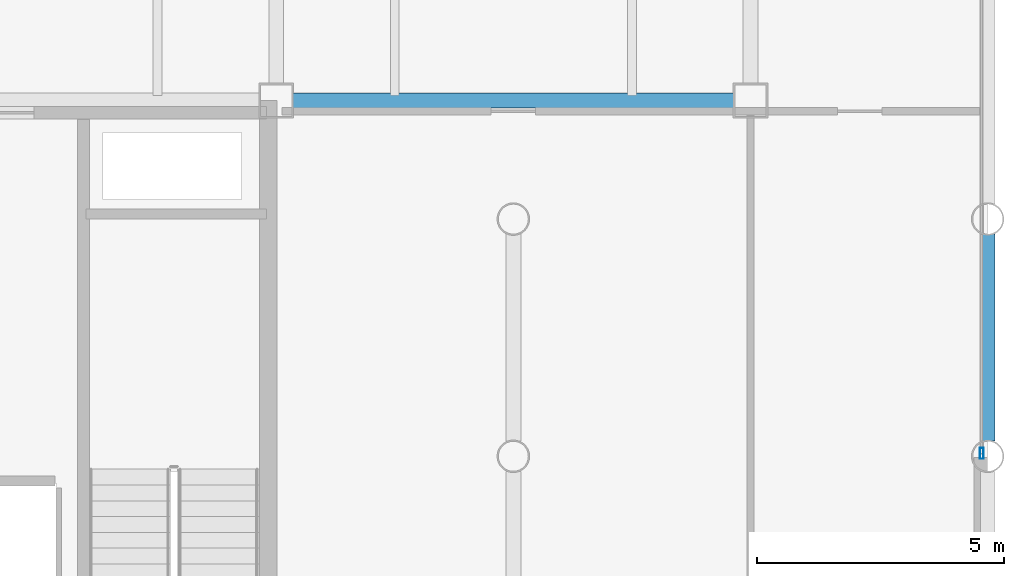
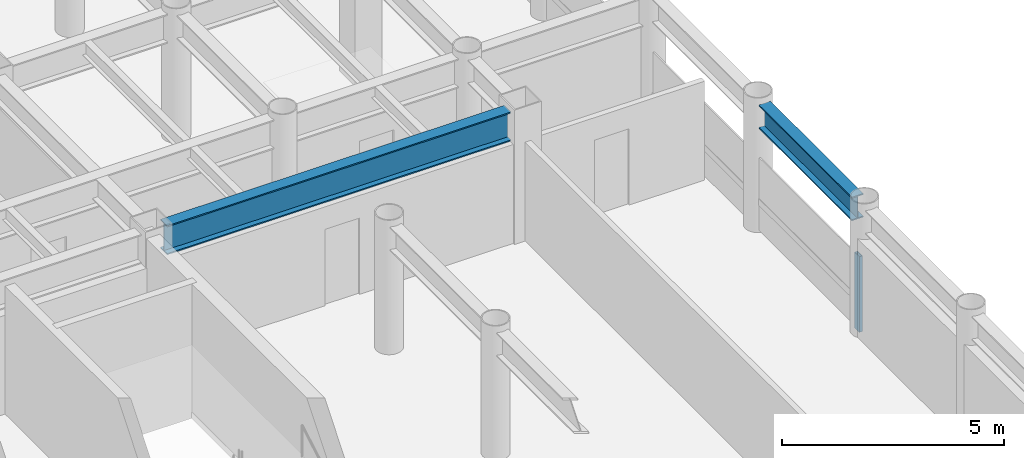
# One storey, part 8 of 21: 2 beams, 1 member, 1 element without a shape of its own.
"""IFC4 building model written with IfcOpenShell, lengths in metres."""

from ifc_helpers import new_model, si_unit, direction, frame, origin, origin_2d, place, context, subcontext, project, spatial, hollow_rectangle, i_section, extrude, material, layer, layer_set, material_profile, profile_set, type_object, element, aggregate, save


model = new_model("IFC4")

# Units and contexts
model_context = context("Model", 3, precision=1e-05, world=origin(), true_north=direction((0.0, 1.0)))
body_context = subcontext(model_context, "Body", "Model", "MODEL_VIEW")
ifc_project = project(units=[si_unit("LENGTHUNIT", "METRE"), si_unit("AREAUNIT", "SQUARE_METRE"), si_unit("VOLUMEUNIT", "CUBIC_METRE"), si_unit("PLANEANGLEUNIT", "RADIAN"), si_unit("MASSUNIT", "GRAM", prefix="KILO")], contexts=[model_context])

# Site, building, storey
site_placement = place(None, origin())
site = spatial("IfcSite", under=ifc_project, at=site_placement, CompositionType="ELEMENT")
building_placement = place(site_placement, origin())
building = spatial("IfcBuilding", under=site, at=building_placement, Name="Kallvorn Hotel Tower", CompositionType="ELEMENT")
storey_placement = place(building_placement, frame((0.0, 0.0, 139.60009765625)))
storey = spatial("IfcBuildingStorey", under=building, at=storey_placement, Name="L34", CompositionType="ELEMENT", Elevation=139.60009765625)

# Beams
ifc_material_1 = material(Name="Structural steel S355JR", Category="steel")
ifc_material_profile_1 = material_profile(ifc_material_1, i_section(OverallWidth=0.300048828125, OverallDepth=0.64990234375, WebThickness=0.01611328125, FlangeThickness=0.031005859375, at=origin_2d()), Name="HE 650 B")
ifc_profile_set_1 = profile_set([ifc_material_profile_1], Name="Structural steel S355JR")
beam_type_1 = type_object("IfcBeamType", Name="BM_HE650B", PredefinedType="BEAM", material=ifc_profile_set_1)
beam_1_placement = place(storey_placement, frame((28.800048828125, 0.304931640625, 3.19482421875), z_axis=(0.0, 1.0, 0.0), x_axis=(-1.0, 0.0, 0.0)))
element("IfcBeam", 1, at=beam_1_placement, inside=storey, type_object=beam_type_1, Name="L35 Primary Y-Girder 147", PredefinedType="BEAM", context=body_context, shape_type="SweptSolid", body=[
    extrude(i_section(OverallWidth=0.300048828125, OverallDepth=0.64990234375, WebThickness=0.01611328125, FlangeThickness=0.031005859375, at=origin_2d()), origin(), (0.0, 0.0, 1.0), 4.190185546875),
])
ifc_material_2 = material(Name="Structural steel S355JR", Category="steel")
ifc_material_profile_2 = material_profile(ifc_material_2, i_section(OverallWidth=0.300048828125, OverallDepth=0.800048828125, WebThickness=0.017578125, FlangeThickness=0.032958984375, at=origin_2d()), Name="HE 800 B")
ifc_profile_set_2 = profile_set([ifc_material_profile_2], Name="Structural steel S355JR")
beam_type_2 = type_object("IfcBeamType", Name="BM_HE800B", PredefinedType="BEAM", material=ifc_profile_set_2)
beam_2_placement = place(storey_placement, frame((14.72509765625, 7.199951171875, 3.119873046875), z_axis=(1.0, 0.0, 0.0), x_axis=(0.0, 1.0, 0.0)))
element("IfcBeam", 2, at=beam_2_placement, inside=storey, type_object=beam_type_2, Name="L35 Primary X-Girder 40", PredefinedType="BEAM", context=body_context, shape_type="SweptSolid", body=[
    extrude(i_section(OverallWidth=0.300048828125, OverallDepth=0.800048828125, WebThickness=0.017578125, FlangeThickness=0.032958984375, at=origin_2d()), origin(), (0.0, 0.0, 1.0), 8.949951171875),
])

# Curtain wall, member
ifc_material_3 = material(Name="Thermally broken black-anodised aluminium AA 6063-T6", Category="aluminium")
ifc_layer = layer(ifc_material_3, 0.2099609375)
ifc_layer_set = layer_set([ifc_layer], Name="CW_SYS_4_HOTEL_MID")
curtain_wall_type = type_object("IfcCurtainWallType", Name="CW_SYS_4_HOTEL_MID", PredefinedType="USERDEFINED", material=ifc_layer_set)
curtain_wall_placement = place(storey_placement, origin())
curtain_wall = element("IfcCurtainWall", 3, at=curtain_wall_placement, inside=storey, type_object=curtain_wall_type, Name="L34 Dark-Glass Curtain Wall CW-L34-EN", ObjectType="UNITISED CURTAIN WALL", PredefinedType="USERDEFINED")
ifc_material_4 = material(Name="Thermally broken black-anodised aluminium AA 6063-T6", Category="aluminium")
ifc_material_profile_3 = material_profile(ifc_material_4, hollow_rectangle(XDim=0.080078125, YDim=0.219970703125, WallThickness=0.0048828125, at=origin_2d()), Name="MUL 220x80")
ifc_profile_set_3 = profile_set([ifc_material_profile_3], Name="Thermally broken black-anodised aluminium AA 6063-T6")
member_type = type_object("IfcMemberType", Name="CW_MULLION_220x80", PredefinedType="MULLION", material=ifc_profile_set_3)
member_placement = place(storey_placement, frame((28.679931640625, 0.06005859375, 0.02001953125), z_axis=(0.0, 0.0, 1.0), x_axis=(1.0, 0.0, 0.0)))
member = element("IfcMember", 4, at=member_placement, type_object=member_type, Name="CW-L34-EN Mullion 00", PredefinedType="MULLION", context=body_context, shape_type="SweptSolid", body=[
    extrude(hollow_rectangle(XDim=0.080078125, YDim=0.219970703125, WallThickness=0.0048828125, at=origin_2d()), origin(), (0.0, 0.0, 1.0), 2.079833984375),
])
aggregate(curtain_wall, [member])

save(model, "model.ifc")
